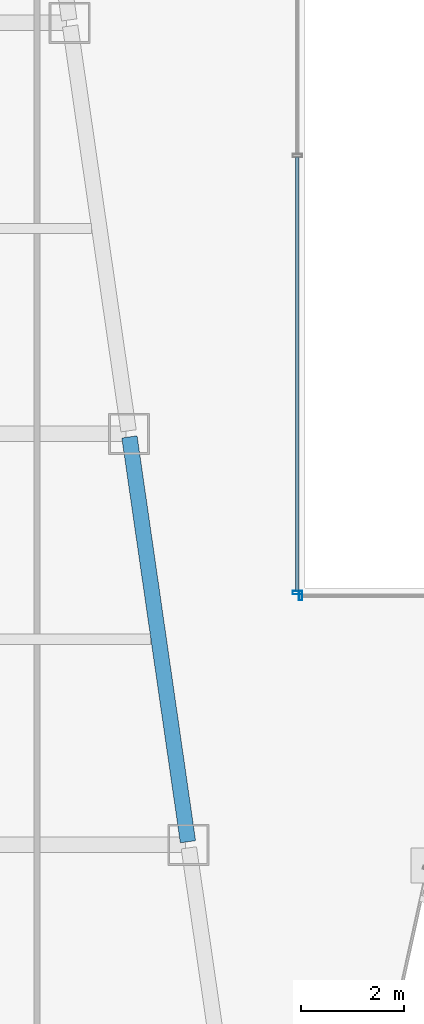
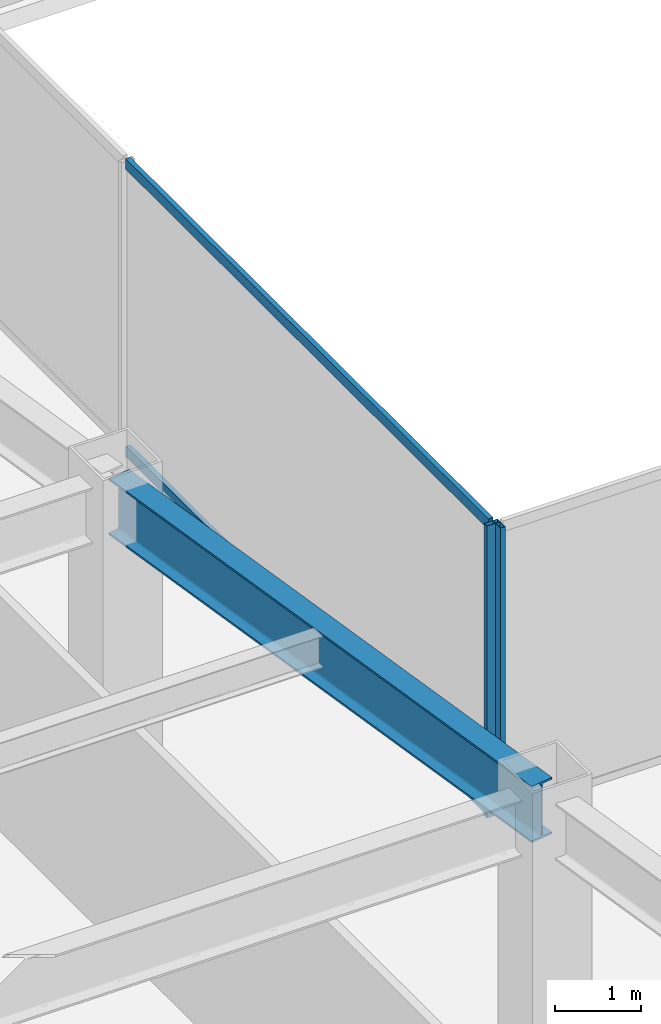
# One storey, part 12 of 47: 4 members, 1 beam, 2 elements without a shape of their own.
"""IFC4 building model written with IfcOpenShell, lengths in metres."""

from ifc_helpers import new_model, si_unit, direction, frame, origin, origin_2d, place, context, subcontext, project, spatial, hollow_rectangle, i_section, extrude, material, material_profile, profile_set, type_object, element, aggregate, save


model = new_model("IFC4")

# Units and contexts
model_context = context("Model", 3, precision=1e-05, world=origin(), true_north=direction((0.0, 1.0)))
body_context = subcontext(model_context, "Body", "Model", "MODEL_VIEW")
ifc_project = project(units=[si_unit("LENGTHUNIT", "METRE"), si_unit("AREAUNIT", "SQUARE_METRE"), si_unit("VOLUMEUNIT", "CUBIC_METRE"), si_unit("PLANEANGLEUNIT", "RADIAN"), si_unit("MASSUNIT", "GRAM", prefix="KILO")], contexts=[model_context])

# Site, building, storey
site_placement = place(None, origin())
site = spatial("IfcSite", under=ifc_project, at=site_placement, CompositionType="ELEMENT")
building_placement = place(site_placement, origin())
building = spatial("IfcBuilding", under=site, at=building_placement, Name="Saevonmaru Cultural Tower", CompositionType="ELEMENT")
storey_placement = place(building_placement, frame((0.0, 0.0, 69.199951171875)))
storey = spatial("IfcBuildingStorey", under=building, at=storey_placement, Name="L14", CompositionType="ELEMENT", Elevation=69.199951171875)

# Beam
ifc_material_1 = material(Name="Steel SM420", Category="steel")
ifc_material_profile_1 = material_profile(ifc_material_1, i_section(OverallWidth=0.300048828125, OverallDepth=0.800048828125, WebThickness=0.013916015625, FlangeThickness=0.02587890625, FilletRadius=0.028076171875, at=origin_2d()), Name="H-800x300x14x26")
ifc_profile_set_1 = profile_set([ifc_material_profile_1], Name="Steel SM420")
beam_type = type_object("IfcBeamType", Name="BM-G-H800", PredefinedType="BEAM", material=ifc_profile_set_1)
beam_placement = place(storey_placement, frame((21.91943359375, 16.059326171875, 3.75), z_axis=(-0.143022161059, 0.989719486241, 0.0), x_axis=(-0.989719486241, -0.143022161059, 0.0)))
element("IfcBeam", 1, at=beam_placement, inside=storey, type_object=beam_type, Name="L14 West Atrium Girder 3", PredefinedType="BEAM", context=body_context, shape_type="SweptSolid", body=[
    extrude(i_section(OverallWidth=0.300048828125, OverallDepth=0.800048828125, WebThickness=0.013916015625, FlangeThickness=0.02587890625, FilletRadius=0.028076171875, at=origin_2d()), origin(), (0.0, 0.0, 1.0), 7.963134765625),
])

# Curtain wall, member
ifc_material_2 = material(Name="Satin Bronze Anodised Aluminium", Category="aluminium")
curtain_wall_type = type_object("IfcCurtainWallType", Name="CW-ATR-GLZ", PredefinedType="NOTDEFINED", material=ifc_material_2)
curtain_wall_1_placement = place(storey_placement, origin())
curtain_wall_1 = element("IfcCurtainWall", 2, at=curtain_wall_1_placement, inside=storey, type_object=curtain_wall_type, Name="L14 Vertical Atrium Glazed Smoke Screen 1", PredefinedType="NOTDEFINED")
ifc_material_profile_2 = material_profile(ifc_material_2, hollow_rectangle(XDim=0.06494140625, YDim=0.179931640625, WallThickness=0.00390625, at=origin_2d()), Name="ALU-MULL-180x65x4")
ifc_profile_set_2 = profile_set([ifc_material_profile_2], Name="Satin Bronze Anodised Aluminium")
member_type_1 = type_object("IfcMemberType", Name="ML-CW-INT-180x65", PredefinedType="MULLION", material=ifc_profile_set_2)
member_1_placement = place(storey_placement, frame((24.110107421875, 20.85009765625, 0.0), z_axis=(0.0, 0.0, 1.0), x_axis=(1.0, 0.0, 0.0)))
member_1 = element("IfcMember", 3, at=member_1_placement, type_object=member_type_1, Name="CW-ATR-L14-1 mullion 1", PredefinedType="MULLION", context=body_context, shape_type="SweptSolid", body=[
    extrude(hollow_rectangle(XDim=0.06494140625, YDim=0.179931640625, WallThickness=0.00390625, at=origin_2d()), origin(), (0.0, 0.0, 1.0), 4.150146484375),
])
aggregate(curtain_wall_1, [member_1])

# Curtain wall, members
curtain_wall_2_placement = place(storey_placement, origin())
curtain_wall_2 = element("IfcCurtainWall", 4, at=curtain_wall_2_placement, inside=storey, type_object=curtain_wall_type, Name="L14 Vertical Atrium Glazed Smoke Screen 4", PredefinedType="NOTDEFINED")
member_2_placement = place(storey_placement, frame((24.050048828125, 20.909912109375, 0.0), z_axis=(0.0, 0.0, 1.0), x_axis=(0.0, -1.0, 0.0)))
member_2 = element("IfcMember", 5, at=member_2_placement, type_object=member_type_1, Name="CW-ATR-L14-4 mullion 3", PredefinedType="MULLION", context=body_context, shape_type="SweptSolid", body=[
    extrude(hollow_rectangle(XDim=0.06494140625, YDim=0.179931640625, WallThickness=0.00390625, at=origin_2d()), origin(), (0.0, 0.0, 1.0), 4.150146484375),
])
ifc_material_profile_3 = material_profile(ifc_material_2, hollow_rectangle(XDim=0.06494140625, YDim=0.14990234375, WallThickness=0.00390625, at=origin_2d()), Name="ALU-TRAN-150x65x4")
ifc_profile_set_3 = profile_set([ifc_material_profile_3], Name="Satin Bronze Anodised Aluminium")
member_type_2 = type_object("IfcMemberType", Name="TR-CW-INT-150x65", PredefinedType="USERDEFINED", material=ifc_profile_set_3)
member_3_placement = place(storey_placement, frame((24.050048828125, 29.387451171875, 0.032470703125), z_axis=(0.0, -1.0, 0.0), x_axis=(1.0, 0.0, 0.0)))
member_3 = element("IfcMember", 6, at=member_3_placement, type_object=member_type_2, Name="CW-ATR-L14-4 transom 2.1", ObjectType="TRANSOM", PredefinedType="USERDEFINED", context=body_context, shape_type="SweptSolid", body=[
    extrude(hollow_rectangle(XDim=0.06494140625, YDim=0.14990234375, WallThickness=0.00390625, at=origin_2d()), origin(), (0.0, 0.0, 1.0), 8.445068359375),
])
member_4_placement = place(storey_placement, frame((24.050048828125, 29.387451171875, 4.117431640625), z_axis=(0.0, -1.0, 0.0), x_axis=(1.0, 0.0, 0.0)))
member_4 = element("IfcMember", 7, at=member_4_placement, type_object=member_type_2, Name="CW-ATR-L14-4 transom 2.2", ObjectType="TRANSOM", PredefinedType="USERDEFINED", context=body_context, shape_type="SweptSolid", body=[
    extrude(hollow_rectangle(XDim=0.06494140625, YDim=0.14990234375, WallThickness=0.00390625, at=origin_2d()), origin(), (0.0, 0.0, 1.0), 8.445068359375),
])
aggregate(curtain_wall_2, [member_2, member_3, member_4])

save(model, "model.ifc")
